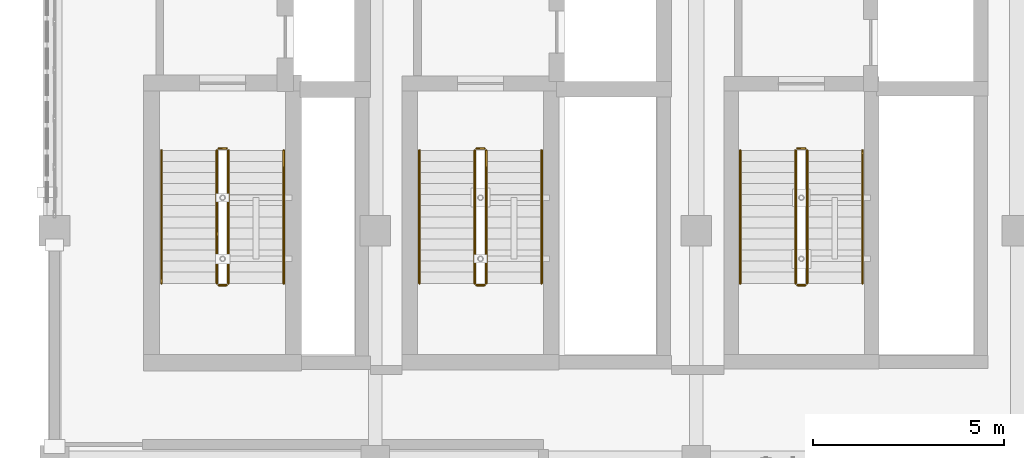
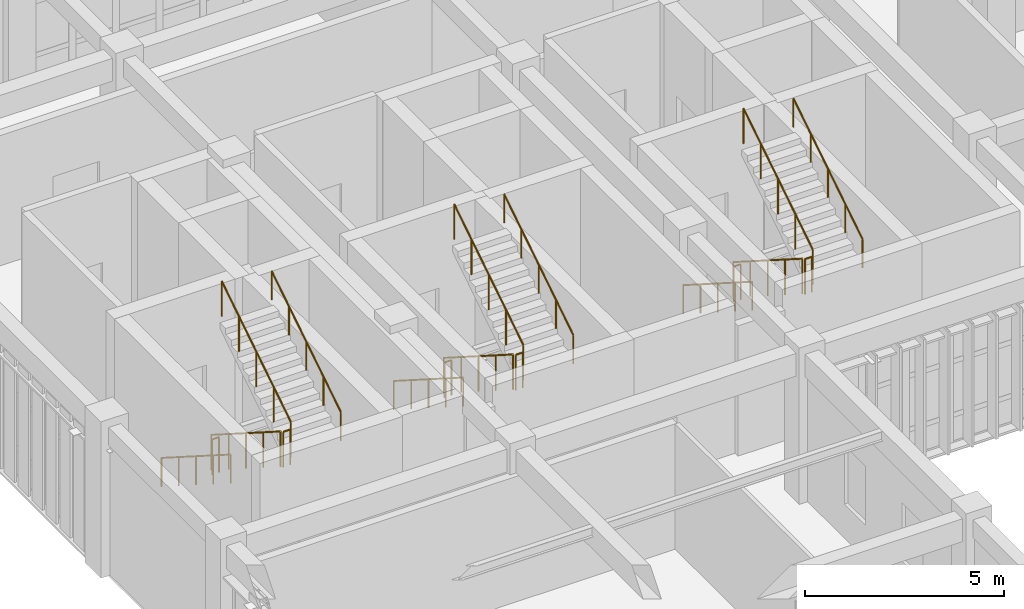
# One storey, part 76 of 76: 18 railings.
"""IFC4 building model written with IfcOpenShell, lengths in metres."""

from ifc_helpers import new_model, si_unit, direction, frame, origin, origin_2d, place, context, subcontext, project, spatial, circle, extrude, material, type_object, element, save


model = new_model("IFC4")

# Units and contexts
model_context = context("Model", 3, precision=1e-05, world=origin(), true_north=direction((0.0, 1.0)))
body_context = subcontext(model_context, "Body", "Model", "MODEL_VIEW")
ifc_project = project(units=[si_unit("LENGTHUNIT", "METRE"), si_unit("AREAUNIT", "SQUARE_METRE"), si_unit("VOLUMEUNIT", "CUBIC_METRE"), si_unit("PLANEANGLEUNIT", "RADIAN"), si_unit("MASSUNIT", "GRAM", prefix="KILO")], contexts=[model_context])

# Site, building, storey
site_placement = place(None, origin())
site = spatial("IfcSite", under=ifc_project, at=site_placement, CompositionType="ELEMENT")
building_placement = place(site_placement, origin())
building = spatial("IfcBuilding", under=site, at=building_placement, Name="Krzemoval Escarpment Law Courts", CompositionType="ELEMENT")
storey_placement = place(building_placement, frame((0.0, 0.0, 20.39990234375)))
storey = spatial("IfcBuildingStorey", under=building, at=storey_placement, Name="L04", CompositionType="ELEMENT", Elevation=20.39990234375)

# Railings
ifc_material_1 = material(Name="Galvanised Steel S355", Category="steel")
railing_type_1 = type_object("IfcRailingType", Name="RL-GRD-1100", PredefinedType="GUARDRAIL", material=ifc_material_1)
railing_1_placement = place(storey_placement, frame((130.25, 101.699951171875, 0.184814453125)))
element("IfcRailing", 1, at=railing_1_placement, inside=storey, type_object=railing_type_1, Name="L04 ST1 stair guard 1", PredefinedType="GUARDRAIL", context=body_context, shape_type="SweptSolid", body=[
    extrude(circle(Radius=0.02392578125, at=origin_2d()), frame((0.0, 0.0, 1.076171875), z_axis=(0.0, -0.843573748531, 0.537013343214), x_axis=(1.0, 0.0, 0.0)), (0.0, 0.0, 1.0), 4.125244140625),
    extrude(circle(Radius=0.02099609375, at=origin_2d()), origin(), (0.0, 0.0, 1.0), 1.052001953125),
    extrude(circle(Radius=0.02099609375, at=origin_2d()), frame((0.0, -0.8701171875, 0.5537109375)), (0.0, 0.0, 1.0), 1.052001953125),
    extrude(circle(Radius=0.02099609375, at=origin_2d()), frame((0.0, -1.739990234375, 1.107666015625)), (0.0, 0.0, 1.0), 1.052001953125),
    extrude(circle(Radius=0.02099609375, at=origin_2d()), frame((0.0, -2.60986328125, 1.66162109375)), (0.0, 0.0, 1.0), 1.052001953125),
    extrude(circle(Radius=0.02099609375, at=origin_2d()), frame((0.0, -3.47998046875, 2.21533203125)), (0.0, 0.0, 1.0), 1.052001953125),
])
railing_2_placement = place(storey_placement, frame((130.300048828125, 98.169921875, 2.400146484375)))
element("IfcRailing", 2, at=railing_2_placement, inside=storey, type_object=railing_type_1, Name="L04 ST1 stair guard 2", PredefinedType="GUARDRAIL", context=body_context, shape_type="SweptSolid", body=[
    extrude(circle(Radius=0.02392578125, at=origin_2d()), frame((0.0, 0.0, 1.076171875), z_axis=(1.0, 0.0, 0.0), x_axis=(0.0, 1.0, 0.0)), (0.0, 0.0, 1.0), 0.199951171875),
    extrude(circle(Radius=0.02099609375, at=origin_2d()), origin(), (0.0, 0.0, 1.0), 1.052001953125),
    extrude(circle(Radius=0.02099609375, at=origin_2d()), frame((0.199951171875, 0.0, 0.0)), (0.0, 0.0, 1.0), 1.052001953125),
])
railing_3_placement = place(storey_placement, frame((130.550048828125, 98.219970703125, 2.584716796875)))
element("IfcRailing", 3, at=railing_3_placement, inside=storey, type_object=railing_type_1, Name="L04 ST1 stair guard 3", PredefinedType="GUARDRAIL", context=body_context, shape_type="SweptSolid", body=[
    extrude(circle(Radius=0.02392578125, at=origin_2d()), frame((0.0, 0.0, 1.076171875), z_axis=(0.0, 0.843573748531, 0.537013343214), x_axis=(-1.0, 0.0, 0.0)), (0.0, 0.0, 1.0), 4.125244140625),
    extrude(circle(Radius=0.02099609375, at=origin_2d()), origin(), (0.0, 0.0, 1.0), 1.052001953125),
    extrude(circle(Radius=0.02099609375, at=origin_2d()), frame((0.0, 0.8701171875, 0.5537109375)), (0.0, 0.0, 1.0), 1.052001953125),
    extrude(circle(Radius=0.02099609375, at=origin_2d()), frame((0.0, 1.739990234375, 1.107666015625)), (0.0, 0.0, 1.0), 1.052001953125),
    extrude(circle(Radius=0.02099609375, at=origin_2d()), frame((0.0, 2.60986328125, 1.66162109375)), (0.0, 0.0, 1.0), 1.052001953125),
    extrude(circle(Radius=0.02099609375, at=origin_2d()), frame((0.0, 3.47998046875, 2.21533203125)), (0.0, 0.0, 1.0), 1.052001953125),
])
railing_4_placement = place(storey_placement, frame((130.300048828125, 101.75, 0.0)))
element("IfcRailing", 4, at=railing_4_placement, inside=storey, type_object=railing_type_1, Name="L04 ST1 stair guard 4", PredefinedType="GUARDRAIL", context=body_context, shape_type="SweptSolid", body=[
    extrude(circle(Radius=0.02392578125, at=origin_2d()), frame((0.0, 0.0, 1.076171875), z_axis=(1.0, 0.0, 0.0), x_axis=(0.0, 1.0, 0.0)), (0.0, 0.0, 1.0), 0.199951171875),
    extrude(circle(Radius=0.02099609375, at=origin_2d()), origin(), (0.0, 0.0, 1.0), 1.052001953125),
    extrude(circle(Radius=0.02099609375, at=origin_2d()), frame((0.199951171875, 0.0, 0.0)), (0.0, 0.0, 1.0), 1.052001953125),
])
railing_5_placement = place(storey_placement, frame((137.0, 101.699951171875, 0.184814453125)))
element("IfcRailing", 5, at=railing_5_placement, inside=storey, type_object=railing_type_1, Name="L04 ST2 stair guard 1", PredefinedType="GUARDRAIL", context=body_context, shape_type="SweptSolid", body=[
    extrude(circle(Radius=0.02392578125, at=origin_2d()), frame((0.0, 0.0, 1.076171875), z_axis=(0.0, -0.843573748531, 0.537013343214), x_axis=(1.0, 0.0, 0.0)), (0.0, 0.0, 1.0), 4.125244140625),
    extrude(circle(Radius=0.02099609375, at=origin_2d()), origin(), (0.0, 0.0, 1.0), 1.052001953125),
    extrude(circle(Radius=0.02099609375, at=origin_2d()), frame((0.0, -0.8701171875, 0.5537109375)), (0.0, 0.0, 1.0), 1.052001953125),
    extrude(circle(Radius=0.02099609375, at=origin_2d()), frame((0.0, -1.739990234375, 1.107666015625)), (0.0, 0.0, 1.0), 1.052001953125),
    extrude(circle(Radius=0.02099609375, at=origin_2d()), frame((0.0, -2.60986328125, 1.66162109375)), (0.0, 0.0, 1.0), 1.052001953125),
    extrude(circle(Radius=0.02099609375, at=origin_2d()), frame((0.0, -3.47998046875, 2.21533203125)), (0.0, 0.0, 1.0), 1.052001953125),
])
railing_6_placement = place(storey_placement, frame((137.050048828125, 98.169921875, 2.400146484375)))
element("IfcRailing", 6, at=railing_6_placement, inside=storey, type_object=railing_type_1, Name="L04 ST2 stair guard 2", PredefinedType="GUARDRAIL", context=body_context, shape_type="SweptSolid", body=[
    extrude(circle(Radius=0.02392578125, at=origin_2d()), frame((0.0, 0.0, 1.076171875), z_axis=(1.0, 0.0, 0.0), x_axis=(0.0, 1.0, 0.0)), (0.0, 0.0, 1.0), 0.199951171875),
    extrude(circle(Radius=0.02099609375, at=origin_2d()), origin(), (0.0, 0.0, 1.0), 1.052001953125),
    extrude(circle(Radius=0.02099609375, at=origin_2d()), frame((0.199951171875, 0.0, 0.0)), (0.0, 0.0, 1.0), 1.052001953125),
])
railing_7_placement = place(storey_placement, frame((137.300048828125, 98.219970703125, 2.584716796875)))
element("IfcRailing", 7, at=railing_7_placement, inside=storey, type_object=railing_type_1, Name="L04 ST2 stair guard 3", PredefinedType="GUARDRAIL", context=body_context, shape_type="SweptSolid", body=[
    extrude(circle(Radius=0.02392578125, at=origin_2d()), frame((0.0, 0.0, 1.076171875), z_axis=(0.0, 0.843573748531, 0.537013343214), x_axis=(-1.0, 0.0, 0.0)), (0.0, 0.0, 1.0), 4.125244140625),
    extrude(circle(Radius=0.02099609375, at=origin_2d()), origin(), (0.0, 0.0, 1.0), 1.052001953125),
    extrude(circle(Radius=0.02099609375, at=origin_2d()), frame((0.0, 0.8701171875, 0.5537109375)), (0.0, 0.0, 1.0), 1.052001953125),
    extrude(circle(Radius=0.02099609375, at=origin_2d()), frame((0.0, 1.739990234375, 1.107666015625)), (0.0, 0.0, 1.0), 1.052001953125),
    extrude(circle(Radius=0.02099609375, at=origin_2d()), frame((0.0, 2.60986328125, 1.66162109375)), (0.0, 0.0, 1.0), 1.052001953125),
    extrude(circle(Radius=0.02099609375, at=origin_2d()), frame((0.0, 3.47998046875, 2.21533203125)), (0.0, 0.0, 1.0), 1.052001953125),
])
railing_8_placement = place(storey_placement, frame((137.050048828125, 101.75, 0.0)))
element("IfcRailing", 8, at=railing_8_placement, inside=storey, type_object=railing_type_1, Name="L04 ST2 stair guard 4", PredefinedType="GUARDRAIL", context=body_context, shape_type="SweptSolid", body=[
    extrude(circle(Radius=0.02392578125, at=origin_2d()), frame((0.0, 0.0, 1.076171875), z_axis=(1.0, 0.0, 0.0), x_axis=(0.0, 1.0, 0.0)), (0.0, 0.0, 1.0), 0.199951171875),
    extrude(circle(Radius=0.02099609375, at=origin_2d()), origin(), (0.0, 0.0, 1.0), 1.052001953125),
    extrude(circle(Radius=0.02099609375, at=origin_2d()), frame((0.199951171875, 0.0, 0.0)), (0.0, 0.0, 1.0), 1.052001953125),
])
railing_9_placement = place(storey_placement, frame((145.39990234375, 101.699951171875, 0.184814453125)))
element("IfcRailing", 9, at=railing_9_placement, inside=storey, type_object=railing_type_1, Name="L04 ST3 stair guard 1", PredefinedType="GUARDRAIL", context=body_context, shape_type="SweptSolid", body=[
    extrude(circle(Radius=0.02392578125, at=origin_2d()), frame((0.0, 0.0, 1.076171875), z_axis=(0.0, -0.843573748531, 0.537013343214), x_axis=(1.0, 0.0, 0.0)), (0.0, 0.0, 1.0), 4.125244140625),
    extrude(circle(Radius=0.02099609375, at=origin_2d()), origin(), (0.0, 0.0, 1.0), 1.052001953125),
    extrude(circle(Radius=0.02099609375, at=origin_2d()), frame((0.0, -0.8701171875, 0.5537109375)), (0.0, 0.0, 1.0), 1.052001953125),
    extrude(circle(Radius=0.02099609375, at=origin_2d()), frame((0.0, -1.739990234375, 1.107666015625)), (0.0, 0.0, 1.0), 1.052001953125),
    extrude(circle(Radius=0.02099609375, at=origin_2d()), frame((0.0, -2.60986328125, 1.66162109375)), (0.0, 0.0, 1.0), 1.052001953125),
    extrude(circle(Radius=0.02099609375, at=origin_2d()), frame((0.0, -3.47998046875, 2.21533203125)), (0.0, 0.0, 1.0), 1.052001953125),
])
railing_10_placement = place(storey_placement, frame((145.449951171875, 98.169921875, 2.400146484375)))
element("IfcRailing", 10, at=railing_10_placement, inside=storey, type_object=railing_type_1, Name="L04 ST3 stair guard 2", PredefinedType="GUARDRAIL", context=body_context, shape_type="SweptSolid", body=[
    extrude(circle(Radius=0.02392578125, at=origin_2d()), frame((0.0, 0.0, 1.076171875), z_axis=(1.0, 0.0, 0.0), x_axis=(0.0, 1.0, 0.0)), (0.0, 0.0, 1.0), 0.199951171875),
    extrude(circle(Radius=0.02099609375, at=origin_2d()), origin(), (0.0, 0.0, 1.0), 1.052001953125),
    extrude(circle(Radius=0.02099609375, at=origin_2d()), frame((0.199951171875, 0.0, 0.0)), (0.0, 0.0, 1.0), 1.052001953125),
])
railing_11_placement = place(storey_placement, frame((145.699951171875, 98.219970703125, 2.584716796875)))
element("IfcRailing", 11, at=railing_11_placement, inside=storey, type_object=railing_type_1, Name="L04 ST3 stair guard 3", PredefinedType="GUARDRAIL", context=body_context, shape_type="SweptSolid", body=[
    extrude(circle(Radius=0.02392578125, at=origin_2d()), frame((0.0, 0.0, 1.076171875), z_axis=(0.0, 0.843573748531, 0.537013343214), x_axis=(-1.0, 0.0, 0.0)), (0.0, 0.0, 1.0), 4.125244140625),
    extrude(circle(Radius=0.02099609375, at=origin_2d()), origin(), (0.0, 0.0, 1.0), 1.052001953125),
    extrude(circle(Radius=0.02099609375, at=origin_2d()), frame((0.0, 0.8701171875, 0.5537109375)), (0.0, 0.0, 1.0), 1.052001953125),
    extrude(circle(Radius=0.02099609375, at=origin_2d()), frame((0.0, 1.739990234375, 1.107666015625)), (0.0, 0.0, 1.0), 1.052001953125),
    extrude(circle(Radius=0.02099609375, at=origin_2d()), frame((0.0, 2.60986328125, 1.66162109375)), (0.0, 0.0, 1.0), 1.052001953125),
    extrude(circle(Radius=0.02099609375, at=origin_2d()), frame((0.0, 3.47998046875, 2.21533203125)), (0.0, 0.0, 1.0), 1.052001953125),
])
railing_12_placement = place(storey_placement, frame((145.449951171875, 101.75, 0.0)))
element("IfcRailing", 12, at=railing_12_placement, inside=storey, type_object=railing_type_1, Name="L04 ST3 stair guard 4", PredefinedType="GUARDRAIL", context=body_context, shape_type="SweptSolid", body=[
    extrude(circle(Radius=0.02392578125, at=origin_2d()), frame((0.0, 0.0, 1.076171875), z_axis=(1.0, 0.0, 0.0), x_axis=(0.0, 1.0, 0.0)), (0.0, 0.0, 1.0), 0.199951171875),
    extrude(circle(Radius=0.02099609375, at=origin_2d()), origin(), (0.0, 0.0, 1.0), 1.052001953125),
    extrude(circle(Radius=0.02099609375, at=origin_2d()), frame((0.199951171875, 0.0, 0.0)), (0.0, 0.0, 1.0), 1.052001953125),
])
ifc_material_2 = material(Name="Brushed Stainless Steel Grade 304 Handrail", Category="steel")
railing_type_2 = type_object("IfcRailingType", Name="RL-HND-900", PredefinedType="HANDRAIL", material=ifc_material_2)
railing_13_placement = place(storey_placement, frame((128.800048828125, 101.699951171875, 0.184814453125)))
element("IfcRailing", 13, at=railing_13_placement, inside=storey, type_object=railing_type_2, Name="L04 ST1 stair handrail 1", PredefinedType="HANDRAIL", context=body_context, shape_type="SweptSolid", body=[
    extrude(circle(Radius=0.02392578125, at=origin_2d()), frame((0.0, 0.0, 0.8759765625), z_axis=(0.0, -0.843573748531, 0.537013343214), x_axis=(1.0, 0.0, 0.0)), (0.0, 0.0, 1.0), 4.125244140625),
    extrude(circle(Radius=0.02099609375, at=origin_2d()), origin(), (0.0, 0.0, 1.0), 0.851806640625),
    extrude(circle(Radius=0.02099609375, at=origin_2d()), frame((0.0, -0.8701171875, 0.5537109375)), (0.0, 0.0, 1.0), 0.851806640625),
    extrude(circle(Radius=0.02099609375, at=origin_2d()), frame((0.0, -1.739990234375, 1.107666015625)), (0.0, 0.0, 1.0), 0.851806640625),
    extrude(circle(Radius=0.02099609375, at=origin_2d()), frame((0.0, -2.60986328125, 1.66162109375)), (0.0, 0.0, 1.0), 0.851806640625),
    extrude(circle(Radius=0.02099609375, at=origin_2d()), frame((0.0, -3.47998046875, 2.21533203125)), (0.0, 0.0, 1.0), 0.851806640625),
])
railing_14_placement = place(storey_placement, frame((132.0, 98.219970703125, 2.584716796875)))
element("IfcRailing", 14, at=railing_14_placement, inside=storey, type_object=railing_type_2, Name="L04 ST1 stair handrail 2", PredefinedType="HANDRAIL", context=body_context, shape_type="SweptSolid", body=[
    extrude(circle(Radius=0.02392578125, at=origin_2d()), frame((0.0, 0.0, 0.8759765625), z_axis=(0.0, 0.843573748531, 0.537013343214), x_axis=(-1.0, 0.0, 0.0)), (0.0, 0.0, 1.0), 4.125244140625),
    extrude(circle(Radius=0.02099609375, at=origin_2d()), origin(), (0.0, 0.0, 1.0), 0.851806640625),
    extrude(circle(Radius=0.02099609375, at=origin_2d()), frame((0.0, 0.8701171875, 0.5537109375)), (0.0, 0.0, 1.0), 0.851806640625),
    extrude(circle(Radius=0.02099609375, at=origin_2d()), frame((0.0, 1.739990234375, 1.107666015625)), (0.0, 0.0, 1.0), 0.851806640625),
    extrude(circle(Radius=0.02099609375, at=origin_2d()), frame((0.0, 2.60986328125, 1.66162109375)), (0.0, 0.0, 1.0), 0.851806640625),
    extrude(circle(Radius=0.02099609375, at=origin_2d()), frame((0.0, 3.47998046875, 2.21533203125)), (0.0, 0.0, 1.0), 0.851806640625),
])
railing_15_placement = place(storey_placement, frame((135.550048828125, 101.699951171875, 0.184814453125)))
element("IfcRailing", 15, at=railing_15_placement, inside=storey, type_object=railing_type_2, Name="L04 ST2 stair handrail 1", PredefinedType="HANDRAIL", context=body_context, shape_type="SweptSolid", body=[
    extrude(circle(Radius=0.02392578125, at=origin_2d()), frame((0.0, 0.0, 0.8759765625), z_axis=(0.0, -0.843573748531, 0.537013343214), x_axis=(1.0, 0.0, 0.0)), (0.0, 0.0, 1.0), 4.125244140625),
    extrude(circle(Radius=0.02099609375, at=origin_2d()), origin(), (0.0, 0.0, 1.0), 0.851806640625),
    extrude(circle(Radius=0.02099609375, at=origin_2d()), frame((0.0, -0.8701171875, 0.5537109375)), (0.0, 0.0, 1.0), 0.851806640625),
    extrude(circle(Radius=0.02099609375, at=origin_2d()), frame((0.0, -1.739990234375, 1.107666015625)), (0.0, 0.0, 1.0), 0.851806640625),
    extrude(circle(Radius=0.02099609375, at=origin_2d()), frame((0.0, -2.60986328125, 1.66162109375)), (0.0, 0.0, 1.0), 0.851806640625),
    extrude(circle(Radius=0.02099609375, at=origin_2d()), frame((0.0, -3.47998046875, 2.21533203125)), (0.0, 0.0, 1.0), 0.851806640625),
])
railing_16_placement = place(storey_placement, frame((138.75, 98.219970703125, 2.584716796875)))
element("IfcRailing", 16, at=railing_16_placement, inside=storey, type_object=railing_type_2, Name="L04 ST2 stair handrail 2", PredefinedType="HANDRAIL", context=body_context, shape_type="SweptSolid", body=[
    extrude(circle(Radius=0.02392578125, at=origin_2d()), frame((0.0, 0.0, 0.8759765625), z_axis=(0.0, 0.843573748531, 0.537013343214), x_axis=(-1.0, 0.0, 0.0)), (0.0, 0.0, 1.0), 4.125244140625),
    extrude(circle(Radius=0.02099609375, at=origin_2d()), origin(), (0.0, 0.0, 1.0), 0.851806640625),
    extrude(circle(Radius=0.02099609375, at=origin_2d()), frame((0.0, 0.8701171875, 0.5537109375)), (0.0, 0.0, 1.0), 0.851806640625),
    extrude(circle(Radius=0.02099609375, at=origin_2d()), frame((0.0, 1.739990234375, 1.107666015625)), (0.0, 0.0, 1.0), 0.851806640625),
    extrude(circle(Radius=0.02099609375, at=origin_2d()), frame((0.0, 2.60986328125, 1.66162109375)), (0.0, 0.0, 1.0), 0.851806640625),
    extrude(circle(Radius=0.02099609375, at=origin_2d()), frame((0.0, 3.47998046875, 2.21533203125)), (0.0, 0.0, 1.0), 0.851806640625),
])
railing_17_placement = place(storey_placement, frame((143.949951171875, 101.699951171875, 0.184814453125)))
element("IfcRailing", 17, at=railing_17_placement, inside=storey, type_object=railing_type_2, Name="L04 ST3 stair handrail 1", PredefinedType="HANDRAIL", context=body_context, shape_type="SweptSolid", body=[
    extrude(circle(Radius=0.02392578125, at=origin_2d()), frame((0.0, 0.0, 0.8759765625), z_axis=(0.0, -0.843573748531, 0.537013343214), x_axis=(1.0, 0.0, 0.0)), (0.0, 0.0, 1.0), 4.125244140625),
    extrude(circle(Radius=0.02099609375, at=origin_2d()), origin(), (0.0, 0.0, 1.0), 0.851806640625),
    extrude(circle(Radius=0.02099609375, at=origin_2d()), frame((0.0, -0.8701171875, 0.5537109375)), (0.0, 0.0, 1.0), 0.851806640625),
    extrude(circle(Radius=0.02099609375, at=origin_2d()), frame((0.0, -1.739990234375, 1.107666015625)), (0.0, 0.0, 1.0), 0.851806640625),
    extrude(circle(Radius=0.02099609375, at=origin_2d()), frame((0.0, -2.60986328125, 1.66162109375)), (0.0, 0.0, 1.0), 0.851806640625),
    extrude(circle(Radius=0.02099609375, at=origin_2d()), frame((0.0, -3.47998046875, 2.21533203125)), (0.0, 0.0, 1.0), 0.851806640625),
])
railing_18_placement = place(storey_placement, frame((147.14990234375, 98.219970703125, 2.584716796875)))
element("IfcRailing", 18, at=railing_18_placement, inside=storey, type_object=railing_type_2, Name="L04 ST3 stair handrail 2", PredefinedType="HANDRAIL", context=body_context, shape_type="SweptSolid", body=[
    extrude(circle(Radius=0.02392578125, at=origin_2d()), frame((0.0, 0.0, 0.8759765625), z_axis=(0.0, 0.843573748531, 0.537013343214), x_axis=(-1.0, 0.0, 0.0)), (0.0, 0.0, 1.0), 4.125244140625),
    extrude(circle(Radius=0.02099609375, at=origin_2d()), origin(), (0.0, 0.0, 1.0), 0.851806640625),
    extrude(circle(Radius=0.02099609375, at=origin_2d()), frame((0.0, 0.8701171875, 0.5537109375)), (0.0, 0.0, 1.0), 0.851806640625),
    extrude(circle(Radius=0.02099609375, at=origin_2d()), frame((0.0, 1.739990234375, 1.107666015625)), (0.0, 0.0, 1.0), 0.851806640625),
    extrude(circle(Radius=0.02099609375, at=origin_2d()), frame((0.0, 2.60986328125, 1.66162109375)), (0.0, 0.0, 1.0), 0.851806640625),
    extrude(circle(Radius=0.02099609375, at=origin_2d()), frame((0.0, 3.47998046875, 2.21533203125)), (0.0, 0.0, 1.0), 0.851806640625),
])

save(model, "model.ifc")
